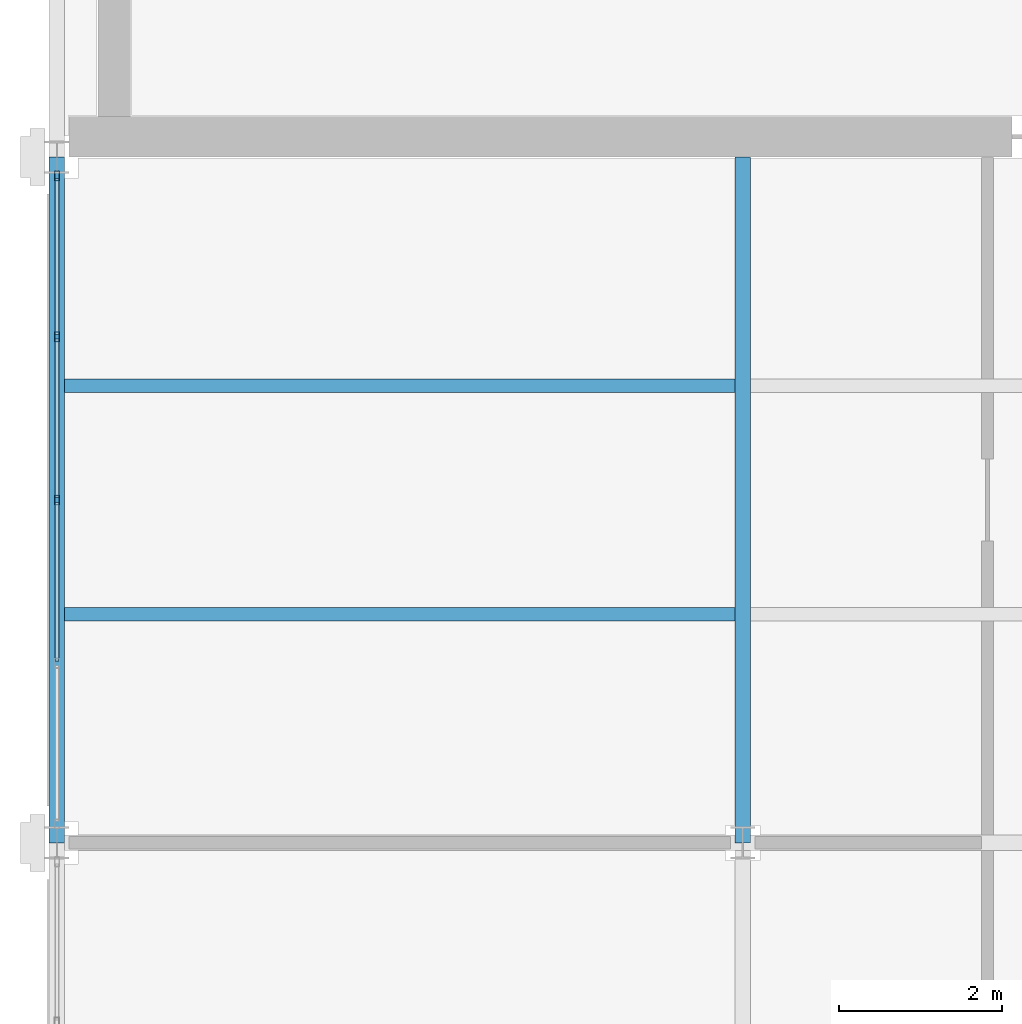
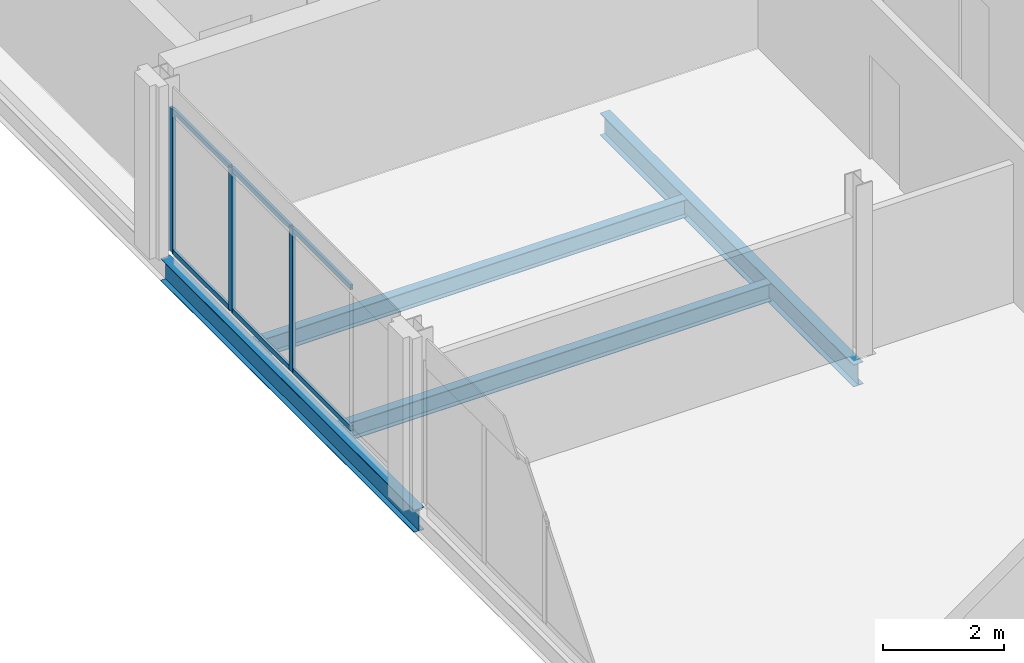
# One storey, part 19 of 32: 9 members, 4 beams, 1 element without a shape of its own.
"""IFC4 building model written with IfcOpenShell, lengths in metres."""

from ifc_helpers import new_model, si_unit, direction, frame, origin, origin_2d, place, context, subcontext, project, spatial, hollow_rectangle, i_section, extrude, material, material_profile, profile_set, type_object, element, aggregate, save


model = new_model("IFC4")

# Units and contexts
model_context = context("Model", 3, precision=1e-05, world=origin(), true_north=direction((0.0, 1.0)))
body_context = subcontext(model_context, "Body", "Model", "MODEL_VIEW")
ifc_project = project(units=[si_unit("LENGTHUNIT", "METRE"), si_unit("AREAUNIT", "SQUARE_METRE"), si_unit("VOLUMEUNIT", "CUBIC_METRE"), si_unit("PLANEANGLEUNIT", "RADIAN"), si_unit("MASSUNIT", "GRAM", prefix="KILO")], contexts=[model_context])

# Site, building, storey
site_placement = place(None, origin())
site = spatial("IfcSite", under=ifc_project, at=site_placement, CompositionType="ELEMENT")
building_placement = place(site_placement, origin())
building = spatial("IfcBuilding", under=site, at=building_placement, Name="Catenary Quay Ferry Terminal", CompositionType="ELEMENT")
storey_placement = place(building_placement, frame((0.0, 0.0, 17.10009765625)))
storey = spatial("IfcBuildingStorey", under=building, at=storey_placement, Name="L03", CompositionType="ELEMENT", Elevation=17.10009765625)

# Beams
ifc_material_1 = material(Name="Steel S355", Category="steel")
ifc_material_profile_1 = material_profile(ifc_material_1, i_section(OverallWidth=0.18994140625, OverallDepth=0.453369140625, WebThickness=0.008544921875, FlangeThickness=0.0126953125, at=origin_2d()), Name="UB 457x191x67")
ifc_profile_set_1 = profile_set([ifc_material_profile_1], Name="Steel S355")
beam_type_1 = type_object("IfcBeamType", Name="B1 UB 457x191x67", PredefinedType="BEAM", material=ifc_profile_set_1)
for number, where, z_axis, x_axis, name in (
    (1, (25.199951171875, 193.199951171875, -0.47705078125), (0.0, 1.0, 0.0), (-1.0, 0.0, 0.0), "Beam B1-014"),
    (2, (33.60009765625, 193.199951171875, -0.47705078125), (0.0, 1.0, 0.0), (-1.0, 0.0, 0.0), "Beam B1-025"),
):
    element("IfcBeam", number, at=place(storey_placement, frame(where, z_axis=z_axis, x_axis=x_axis)), inside=storey, type_object=beam_type_1, Name=name, PredefinedType="BEAM", context=body_context, shape_type="SweptSolid", body=[
        extrude(i_section(OverallWidth=0.18994140625, OverallDepth=0.453369140625, WebThickness=0.008544921875, FlangeThickness=0.0126953125, at=origin_2d()), origin(), (0.0, 0.0, 1.0), 8.400146484375),
    ])
ifc_material_2 = material(Name="Steel S355", Category="steel")
ifc_material_profile_2 = material_profile(ifc_material_2, i_section(OverallWidth=0.169921875, OverallDepth=0.360107421875, WebThickness=0.008056640625, FlangeThickness=0.0126953125, at=origin_2d()), Name="IPE 360")
ifc_profile_set_2 = profile_set([ifc_material_profile_2], Name="Steel S355")
beam_type_2 = type_object("IfcBeamType", Name="B7 IPE 360", PredefinedType="BEAM", material=ifc_profile_set_2)
for number, where, z_axis, x_axis, name in (
    (3, (25.294921875, 196.0, -0.43017578125), (1.0, 0.0, 0.0), (0.0, 1.0, 0.0), "Beam B7-043"),
    (4, (25.294921875, 198.800048828125, -0.43017578125), (1.0, 0.0, 0.0), (0.0, 1.0, 0.0), "Beam B7-046"),
):
    element("IfcBeam", number, at=place(storey_placement, frame(where, z_axis=z_axis, x_axis=x_axis)), inside=storey, type_object=beam_type_2, Name=name, PredefinedType="BEAM", context=body_context, shape_type="SweptSolid", body=[
        extrude(i_section(OverallWidth=0.169921875, OverallDepth=0.360107421875, WebThickness=0.008056640625, FlangeThickness=0.0126953125, at=origin_2d()), origin(), (0.0, 0.0, 1.0), 8.2099609375),
    ])

# Curtain wall, members
ifc_material_3 = material(Name="Aluminium and glass", Category="aluminium")
curtain_wall_type = type_object("IfcCurtainWallType", Name="CWW3", PredefinedType="NOTDEFINED", material=ifc_material_3)
curtain_wall_placement = place(storey_placement, origin())
curtain_wall = element("IfcCurtainWall", 5, at=curtain_wall_placement, inside=storey, type_object=curtain_wall_type, Name="Wing curtain wall CW153", PredefinedType="NOTDEFINED")
ifc_material_4 = material(Name="Aluminium", Category="aluminium")
ifc_material_profile_3 = material_profile(ifc_material_4, hollow_rectangle(XDim=0.06005859375, YDim=0.1201171875, WallThickness=0.0048828125, at=origin_2d()), Name="MU4")
ifc_profile_set_3 = profile_set([ifc_material_profile_3], Name="Aluminium")
member_type_1 = type_object("IfcMemberType", Name="MU4", PredefinedType="MULLION", material=ifc_profile_set_3)
member_1_placement = place(storey_placement, frame((25.199951171875, 197.39990234375, 0.0), z_axis=(0.0, 0.0, 1.0), x_axis=(-1.0, 0.0, 0.0)))
member_1 = element("IfcMember", 6, at=member_1_placement, type_object=member_type_1, Name="CW153 mullion 3", PredefinedType="MULLION", context=body_context, shape_type="SweptSolid", body=[
    extrude(hollow_rectangle(XDim=0.06005859375, YDim=0.1201171875, WallThickness=0.0048828125, at=origin_2d()), origin(), (0.0, 0.0, 1.0), 2.89990234375),
])
member_2_placement = place(storey_placement, frame((25.199951171875, 199.39990234375, 0.0), z_axis=(0.0, 0.0, 1.0), x_axis=(-1.0, 0.0, 0.0)))
member_2 = element("IfcMember", 7, at=member_2_placement, type_object=member_type_1, Name="CW153 mullion 4", PredefinedType="MULLION", context=body_context, shape_type="SweptSolid", body=[
    extrude(hollow_rectangle(XDim=0.06005859375, YDim=0.1201171875, WallThickness=0.0048828125, at=origin_2d()), origin(), (0.0, 0.0, 1.0), 2.89990234375),
])
member_3_placement = place(storey_placement, frame((25.199951171875, 201.3701171875, 0.0), z_axis=(0.0, 0.0, 1.0), x_axis=(-1.0, 0.0, 0.0)))
member_3 = element("IfcMember", 8, at=member_3_placement, type_object=member_type_1, Name="CW153 mullion 5", PredefinedType="MULLION", context=body_context, shape_type="SweptSolid", body=[
    extrude(hollow_rectangle(XDim=0.06005859375, YDim=0.1201171875, WallThickness=0.0048828125, at=origin_2d()), origin(), (0.0, 0.0, 1.0), 2.89990234375),
])
ifc_material_5 = material(Name="Aluminium", Category="aluminium")
ifc_material_profile_4 = material_profile(ifc_material_5, hollow_rectangle(XDim=0.050048828125, YDim=0.10009765625, WallThickness=0.00390625, at=origin_2d()), Name="TR4")
ifc_profile_set_4 = profile_set([ifc_material_profile_4], Name="Aluminium")
member_type_2 = type_object("IfcMemberType", Name="TR4", PredefinedType="USERDEFINED", material=ifc_profile_set_4)
member_4_placement = place(storey_placement, frame((25.199951171875, 195.429931640625, 0.02490234375), z_axis=(0.0, 1.0, 0.0), x_axis=(-1.0, 0.0, 0.0)))
member_4 = element("IfcMember", 9, at=member_4_placement, type_object=member_type_2, Name="CW153 transom 2.1", ObjectType="TRANSOM", PredefinedType="USERDEFINED", context=body_context, shape_type="SweptSolid", body=[
    extrude(hollow_rectangle(XDim=0.050048828125, YDim=0.10009765625, WallThickness=0.00390625, at=origin_2d()), origin(), (0.0, 0.0, 1.0), 1.940185546875),
])
member_5_placement = place(storey_placement, frame((25.199951171875, 195.429931640625, 2.875), z_axis=(0.0, 1.0, 0.0), x_axis=(-1.0, 0.0, 0.0)))
member_5 = element("IfcMember", 10, at=member_5_placement, type_object=member_type_2, Name="CW153 transom 2.2", ObjectType="TRANSOM", PredefinedType="USERDEFINED", context=body_context, shape_type="SweptSolid", body=[
    extrude(hollow_rectangle(XDim=0.050048828125, YDim=0.10009765625, WallThickness=0.00390625, at=origin_2d()), origin(), (0.0, 0.0, 1.0), 1.940185546875),
])
member_6_placement = place(storey_placement, frame((25.199951171875, 197.429931640625, 0.02490234375), z_axis=(0.0, 1.0, 0.0), x_axis=(-1.0, 0.0, 0.0)))
member_6 = element("IfcMember", 11, at=member_6_placement, type_object=member_type_2, Name="CW153 transom 3.1", ObjectType="TRANSOM", PredefinedType="USERDEFINED", context=body_context, shape_type="SweptSolid", body=[
    extrude(hollow_rectangle(XDim=0.050048828125, YDim=0.10009765625, WallThickness=0.00390625, at=origin_2d()), origin(), (0.0, 0.0, 1.0), 1.940185546875),
])
member_7_placement = place(storey_placement, frame((25.199951171875, 197.429931640625, 2.875), z_axis=(0.0, 1.0, 0.0), x_axis=(-1.0, 0.0, 0.0)))
member_7 = element("IfcMember", 12, at=member_7_placement, type_object=member_type_2, Name="CW153 transom 3.2", ObjectType="TRANSOM", PredefinedType="USERDEFINED", context=body_context, shape_type="SweptSolid", body=[
    extrude(hollow_rectangle(XDim=0.050048828125, YDim=0.10009765625, WallThickness=0.00390625, at=origin_2d()), origin(), (0.0, 0.0, 1.0), 1.940185546875),
])
member_8_placement = place(storey_placement, frame((25.199951171875, 199.429931640625, 0.02490234375), z_axis=(0.0, 1.0, 0.0), x_axis=(-1.0, 0.0, 0.0)))
member_8 = element("IfcMember", 13, at=member_8_placement, type_object=member_type_2, Name="CW153 transom 4.1", ObjectType="TRANSOM", PredefinedType="USERDEFINED", context=body_context, shape_type="SweptSolid", body=[
    extrude(hollow_rectangle(XDim=0.050048828125, YDim=0.10009765625, WallThickness=0.00390625, at=origin_2d()), origin(), (0.0, 0.0, 1.0), 1.91015625),
])
member_9_placement = place(storey_placement, frame((25.199951171875, 199.429931640625, 2.875), z_axis=(0.0, 1.0, 0.0), x_axis=(-1.0, 0.0, 0.0)))
member_9 = element("IfcMember", 14, at=member_9_placement, type_object=member_type_2, Name="CW153 transom 4.2", ObjectType="TRANSOM", PredefinedType="USERDEFINED", context=body_context, shape_type="SweptSolid", body=[
    extrude(hollow_rectangle(XDim=0.050048828125, YDim=0.10009765625, WallThickness=0.00390625, at=origin_2d()), origin(), (0.0, 0.0, 1.0), 1.91015625),
])
aggregate(curtain_wall, [member_1, member_2, member_3, member_4, member_5, member_6, member_7, member_8, member_9])

save(model, "model.ifc")
